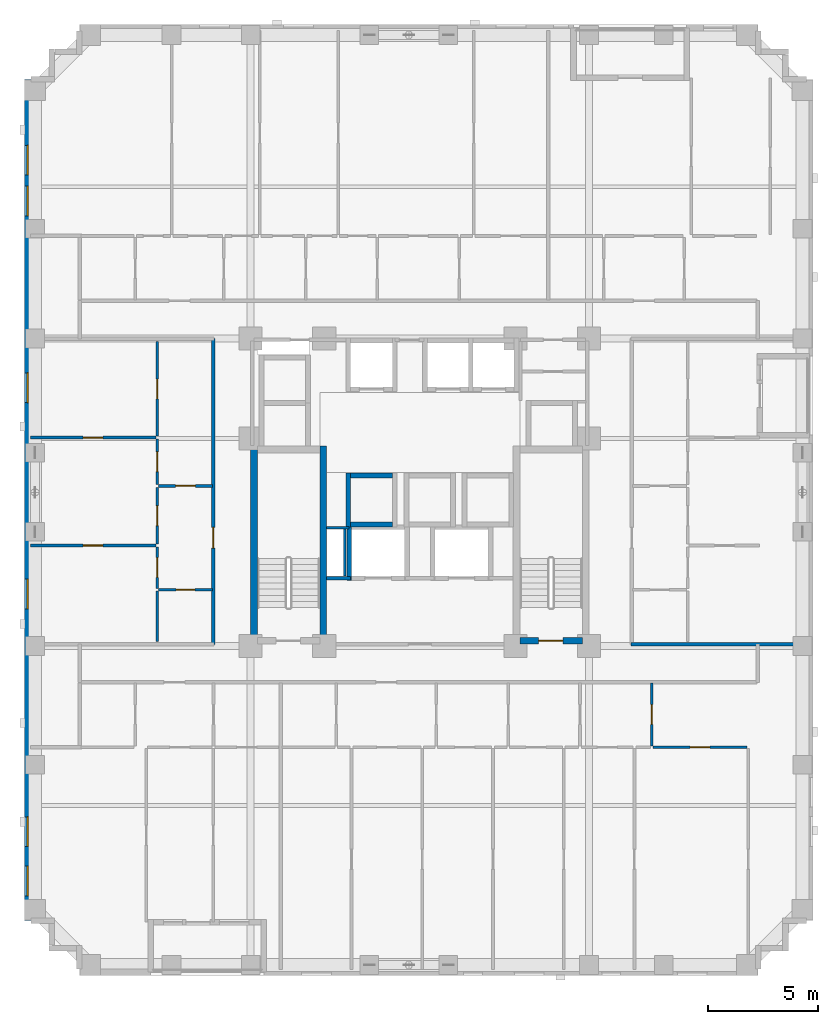
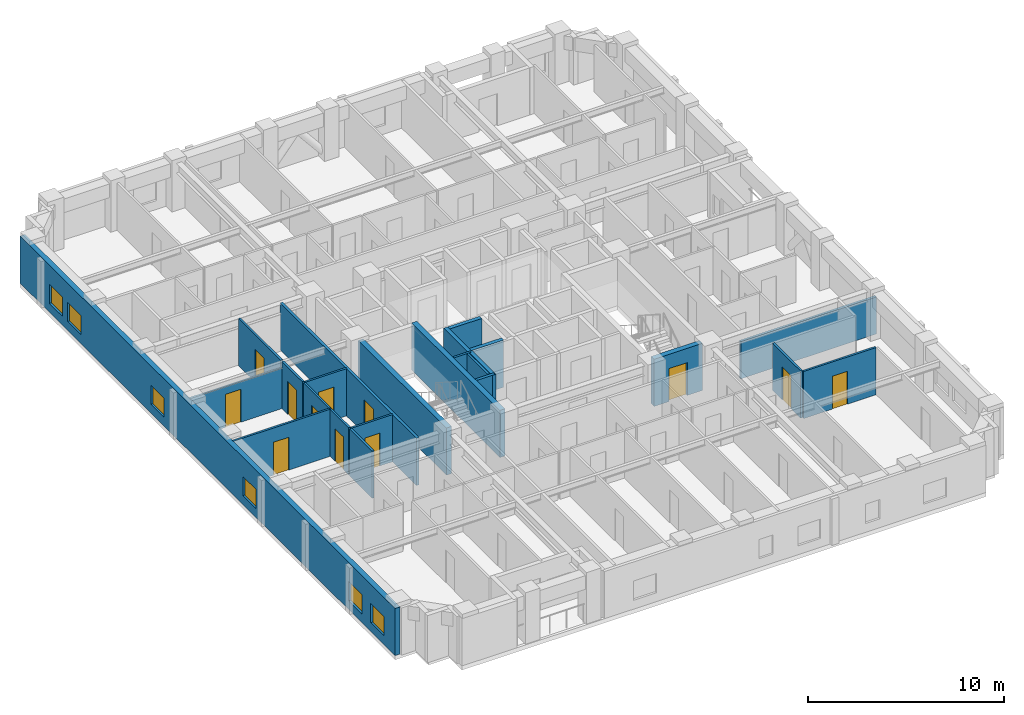
# One storey, part 4 of 12: 24 walls, 12 doors, 6 windows, 18 openings.
"""IFC4 building model written with IfcOpenShell, lengths in metres."""

from ifc_helpers import new_model, si_unit, derived_unit, direction, frame, frame_2d, origin, place, context, subcontext, project, spatial, rectangle, extrude, material, layer, layer_set, type_object, element, fill, save


model = new_model("IFC4")

# Units and contexts
model_context = context("Model", 3, precision=1e-05, world=origin(), true_north=direction((0.0, 1.0)))
body_context = subcontext(model_context, "Body", "Model", "MODEL_VIEW")
ifc_project = project(units=[si_unit("LENGTHUNIT", "METRE"), si_unit("AREAUNIT", "SQUARE_METRE"), si_unit("VOLUMEUNIT", "CUBIC_METRE"), si_unit("PLANEANGLEUNIT", "RADIAN"), si_unit("MASSUNIT", "GRAM", prefix="KILO"), derived_unit("THERMALTRANSMITTANCEUNIT", [(si_unit("MASSUNIT", "GRAM", prefix="KILO"), 1), (si_unit("TIMEUNIT", "SECOND"), -3), (si_unit("THERMODYNAMICTEMPERATUREUNIT", "KELVIN"), -1)])], contexts=[model_context])

# Site, building, storey
site_placement = place(None, origin())
site = spatial("IfcSite", under=ifc_project, at=site_placement, CompositionType="ELEMENT")
building_placement = place(site_placement, origin())
building = spatial("IfcBuilding", under=site, at=building_placement, Name="Korrvale Station Residences", CompositionType="ELEMENT")
storey_placement = place(building_placement, frame((0.0, 0.0, 81.5)))
storey = spatial("IfcBuildingStorey", under=building, at=storey_placement, Name="L22", CompositionType="ELEMENT", Elevation=81.5)

# Walls
ifc_material_1 = material(Name="Concrete C60/75", Category="concrete")
ifc_layer_1 = layer(ifc_material_1, 0.300048828125, Name="Concrete C60/75")
ifc_layer_set_1 = layer_set([ifc_layer_1], Name="Concrete C60/75")
wall_type_1 = type_object("IfcWallType", Name="WAL-CORE-300-C60", PredefinedType="SHEAR", material=ifc_layer_set_1)
for number, where, z_axis, x_axis, name in (
    (1, (17.949951171875, 15.10009765625, 0.0), (0.0, 0.0, 1.0), (0.0, 1.0, 0.0), "L22 ST-1 Core Shear Wall West"),
    (2, (21.10009765625, 15.10009765625, 0.0), (0.0, 0.0, 1.0), (0.0, 1.0, 0.0), "L22 ST-1 Core Shear Wall East"),
):
    element("IfcWall", number, at=place(storey_placement, frame(where, z_axis=z_axis, x_axis=x_axis)), inside=storey, type_object=wall_type_1, Name=name, PredefinedType="SHEAR", context=body_context, shape_type="SweptSolid", body=[
        extrude(rectangle(XDim=9.0, YDim=0.300048828125, at=frame_2d((4.5, 0.0))), origin(), (0.0, 0.0, 1.0), 2.93994140625),
    ])

# Wall, opening, door
wall_1_placement = place(storey_placement, frame((30.050048828125, 15.25, 0.0), z_axis=(0.0, 0.0, 1.0), x_axis=(1.0, 0.0, 0.0)))
wall_1 = element("IfcWall", 3, at=wall_1_placement, inside=storey, type_object=wall_type_1, Name="L22 ST-2 Core Shear Wall South", PredefinedType="SHEAR", context=body_context, shape_type="SweptSolid", body=[
    extrude(rectangle(XDim=2.849853515625, YDim=0.300048828125, at=frame_2d((1.4248046875, 0.0))), origin(), (0.0, 0.0, 1.0), 2.93994140625),
])
opening_1_placement = place(wall_1_placement, frame((0.860107421875, 0.0, 0.0)))
opening_1 = element("IfcOpeningElement", 4, at=opening_1_placement, cuts=wall_1, Name="Opening SD-1100", PredefinedType="OPENING", context=body_context, shape_type="SweptSolid", body=[
    extrude(rectangle(XDim=1.10009765625, YDim=2.050048828125, at=frame_2d((0.550048828125, 1.02490234375))), frame((0.0, 0.16015625, 0.0), z_axis=(0.0, -1.0, 0.0), x_axis=(1.0, 0.0, 0.0)), (0.0, 0.0, 1.0), 0.320068359375),
])
ifc_material_2 = material(Name="Hollow-metal fire-rated stair door with closer", Category="steel")
door_type_1 = type_object("IfcDoorType", Name="DR-STAIR-1100", OperationType="NOTDEFINED", PredefinedType="DOOR", material=ifc_material_2)
door_1_placement = place(opening_1_placement, origin())
door_1 = element("IfcDoor", 5, at=door_1_placement, inside=storey, type_object=door_type_1, Name="L22 ST-2 Exit Stair Door", OperationType="SINGLE_SWING_RIGHT", OverallHeight=2.050048828125, OverallWidth=1.10009765625, PredefinedType="DOOR", context=body_context, shape_type="SweptSolid", body=[
    extrude(rectangle(XDim=1.10009765625, YDim=2.050048828125, at=frame_2d((0.550048828125, 1.02490234375))), frame((0.0, 0.02490234375, 0.0), z_axis=(0.0, -1.0, 0.0), x_axis=(1.0, 0.0, 0.0)), (0.0, 0.0, 1.0), 0.050048828125),
])
fill(opening_1, door_1)

# Wall, openings, windows
ifc_material_3 = material(Name="Precast concrete C45/55", Category="concrete")
ifc_layer_2 = layer(ifc_material_3, 0.300048828125, Name="Precast concrete C45/55")
ifc_layer_set_2 = layer_set([ifc_layer_2], Name="Precast concrete C45/55")
wall_type_2 = type_object("IfcWallType", Name="WAL-EXT-PC300", PredefinedType="SOLIDWALL", material=ifc_layer_set_2)
wall_2_placement = place(storey_placement, frame((7.64990234375, 2.5, 0.0), z_axis=(0.0, 0.0, 1.0), x_axis=(0.0, 1.0, 0.0)))
wall_2 = element("IfcWall", 6, at=wall_2_placement, inside=storey, type_object=wall_type_2, Name="L22 West Exterior Precast Wall 1", PredefinedType="SOLIDWALL", context=body_context, shape_type="SweptSolid", body=[
    extrude(rectangle(XDim=38.300048828125, YDim=0.300048828125, at=frame_2d((19.14990234375, 0.0))), origin(), (0.0, 0.0, 1.0), 2.93994140625),
])
opening_2_placement = place(wall_2_placement, frame((3.3798828125, 0.0, 0.550048828125)))
opening_2 = element("IfcOpeningElement", 7, at=opening_2_placement, cuts=wall_2, Name="Opening W-10", PredefinedType="OPENING", context=body_context, shape_type="SweptSolid", body=[
    extrude(rectangle(XDim=1.35009765625, YDim=1.199951171875, at=frame_2d((0.675048828125, 0.60009765625))), frame((0.0, 0.16015625, 0.0), z_axis=(0.0, -1.0, 0.0), x_axis=(1.0, 0.0, 0.0)), (0.0, 0.0, 1.0), 0.320068359375),
])
opening_3_placement = place(wall_2_placement, frame((1.135009765625, 0.0, 0.550048828125)))
opening_3 = element("IfcOpeningElement", 8, at=opening_3_placement, cuts=wall_2, Name="Opening W-10", PredefinedType="OPENING", context=body_context, shape_type="SweptSolid", body=[
    extrude(rectangle(XDim=1.35009765625, YDim=1.199951171875, at=frame_2d((0.675048828125, 0.60009765625))), frame((0.0, 0.16015625, 0.0), z_axis=(0.0, -1.0, 0.0), x_axis=(1.0, 0.0, 0.0)), (0.0, 0.0, 1.0), 0.320068359375),
])
opening_4_placement = place(wall_2_placement, frame((33.946044921875, 0.0, 0.550048828125)))
opening_4 = element("IfcOpeningElement", 9, at=opening_4_placement, cuts=wall_2, Name="Opening W-10", PredefinedType="OPENING", context=body_context, shape_type="SweptSolid", body=[
    extrude(rectangle(XDim=1.35009765625, YDim=1.199951171875, at=frame_2d((0.675048828125, 0.60009765625))), frame((0.0, 0.16015625, 0.0), z_axis=(0.0, -1.0, 0.0), x_axis=(1.0, 0.0, 0.0)), (0.0, 0.0, 1.0), 0.320068359375),
])
opening_5_placement = place(wall_2_placement, frame((32.0849609375, 0.0, 0.550048828125)))
opening_5 = element("IfcOpeningElement", 10, at=opening_5_placement, cuts=wall_2, Name="Opening W-10", PredefinedType="OPENING", context=body_context, shape_type="SweptSolid", body=[
    extrude(rectangle(XDim=1.35009765625, YDim=1.199951171875, at=frame_2d((0.675048828125, 0.60009765625))), frame((0.0, 0.16015625, 0.0), z_axis=(0.0, -1.0, 0.0), x_axis=(1.0, 0.0, 0.0)), (0.0, 0.0, 1.0), 0.320068359375),
])
opening_6_placement = place(wall_2_placement, frame((14.194091796875, 0.0, 0.550048828125)))
opening_6 = element("IfcOpeningElement", 11, at=opening_6_placement, cuts=wall_2, Name="Opening W-10", PredefinedType="OPENING", context=body_context, shape_type="SweptSolid", body=[
    extrude(rectangle(XDim=1.35009765625, YDim=1.199951171875, at=frame_2d((0.675048828125, 0.60009765625))), frame((0.0, 0.16015625, 0.0), z_axis=(0.0, -1.0, 0.0), x_axis=(1.0, 0.0, 0.0)), (0.0, 0.0, 1.0), 0.320068359375),
])
opening_7_placement = place(wall_2_placement, frame((23.58203125, 0.0, 0.550048828125)))
opening_7 = element("IfcOpeningElement", 12, at=opening_7_placement, cuts=wall_2, Name="Opening W-10", PredefinedType="OPENING", context=body_context, shape_type="SweptSolid", body=[
    extrude(rectangle(XDim=1.35009765625, YDim=1.199951171875, at=frame_2d((0.675048828125, 0.60009765625))), frame((0.0, 0.16015625, 0.0), z_axis=(0.0, -1.0, 0.0), x_axis=(1.0, 0.0, 0.0)), (0.0, 0.0, 1.0), 0.320068359375),
])
ifc_material_4 = material(Name="Thermally broken aluminium frame with triple low-e glazing", Category="aluminium")
window_type = type_object("IfcWindowType", Name="WIN-W10", PartitioningType="SINGLE_PANEL", PredefinedType="WINDOW", material=ifc_material_4)
window_1_placement = place(opening_2_placement, origin())
window_1 = element("IfcWindow", 13, at=window_1_placement, inside=storey, type_object=window_type, Name="L22 Punched Window 01", OverallHeight=1.199951171875, OverallWidth=1.35009765625, PartitioningType="SINGLE_PANEL", PredefinedType="WINDOW", context=body_context, shape_type="SweptSolid", body=[
    extrude(rectangle(XDim=1.35009765625, YDim=1.199951171875, at=frame_2d((0.675048828125, 0.60009765625))), frame((0.0, 0.030029296875, 0.0), z_axis=(0.0, -1.0, 0.0), x_axis=(1.0, 0.0, 0.0)), (0.0, 0.0, 1.0), 0.06005859375),
])
fill(opening_2, window_1)
window_2_placement = place(opening_3_placement, origin())
window_2 = element("IfcWindow", 14, at=window_2_placement, inside=storey, type_object=window_type, Name="L22 Punched Window 02", OverallHeight=1.199951171875, OverallWidth=1.35009765625, PartitioningType="SINGLE_PANEL", PredefinedType="WINDOW", context=body_context, shape_type="SweptSolid", body=[
    extrude(rectangle(XDim=1.35009765625, YDim=1.199951171875, at=frame_2d((0.675048828125, 0.60009765625))), frame((0.0, 0.030029296875, 0.0), z_axis=(0.0, -1.0, 0.0), x_axis=(1.0, 0.0, 0.0)), (0.0, 0.0, 1.0), 0.06005859375),
])
fill(opening_3, window_2)
window_3_placement = place(opening_4_placement, origin())
window_3 = element("IfcWindow", 15, at=window_3_placement, inside=storey, type_object=window_type, Name="L22 Punched Window 12", OverallHeight=1.199951171875, OverallWidth=1.35009765625, PartitioningType="SINGLE_PANEL", PredefinedType="WINDOW", context=body_context, shape_type="SweptSolid", body=[
    extrude(rectangle(XDim=1.35009765625, YDim=1.199951171875, at=frame_2d((0.675048828125, 0.60009765625))), frame((0.0, 0.030029296875, 0.0), z_axis=(0.0, -1.0, 0.0), x_axis=(1.0, 0.0, 0.0)), (0.0, 0.0, 1.0), 0.06005859375),
])
fill(opening_4, window_3)
window_4_placement = place(opening_5_placement, origin())
window_4 = element("IfcWindow", 16, at=window_4_placement, inside=storey, type_object=window_type, Name="L22 Punched Window 13", OverallHeight=1.199951171875, OverallWidth=1.35009765625, PartitioningType="SINGLE_PANEL", PredefinedType="WINDOW", context=body_context, shape_type="SweptSolid", body=[
    extrude(rectangle(XDim=1.35009765625, YDim=1.199951171875, at=frame_2d((0.675048828125, 0.60009765625))), frame((0.0, 0.030029296875, 0.0), z_axis=(0.0, -1.0, 0.0), x_axis=(1.0, 0.0, 0.0)), (0.0, 0.0, 1.0), 0.06005859375),
])
fill(opening_5, window_4)
window_5_placement = place(opening_6_placement, origin())
window_5 = element("IfcWindow", 17, at=window_5_placement, inside=storey, type_object=window_type, Name="L22 Punched Window 19", OverallHeight=1.199951171875, OverallWidth=1.35009765625, PartitioningType="SINGLE_PANEL", PredefinedType="WINDOW", context=body_context, shape_type="SweptSolid", body=[
    extrude(rectangle(XDim=1.35009765625, YDim=1.199951171875, at=frame_2d((0.675048828125, 0.60009765625))), frame((0.0, 0.030029296875, 0.0), z_axis=(0.0, -1.0, 0.0), x_axis=(1.0, 0.0, 0.0)), (0.0, 0.0, 1.0), 0.06005859375),
])
fill(opening_6, window_5)
window_6_placement = place(opening_7_placement, origin())
window_6 = element("IfcWindow", 18, at=window_6_placement, inside=storey, type_object=window_type, Name="L22 Punched Window 20", OverallHeight=1.199951171875, OverallWidth=1.35009765625, PartitioningType="SINGLE_PANEL", PredefinedType="WINDOW", context=body_context, shape_type="SweptSolid", body=[
    extrude(rectangle(XDim=1.35009765625, YDim=1.199951171875, at=frame_2d((0.675048828125, 0.60009765625))), frame((0.0, 0.030029296875, 0.0), z_axis=(0.0, -1.0, 0.0), x_axis=(1.0, 0.0, 0.0)), (0.0, 0.0, 1.0), 0.06005859375),
])
fill(opening_7, window_6)

# Walls
ifc_material_5 = material(Name="Acoustic steel-stud gypsum board partition", Category="steel")
ifc_layer_3 = layer(ifc_material_5, 0.1201171875, Name="Acoustic steel-stud gypsum board partition")
ifc_layer_set_3 = layer_set([ifc_layer_3], Name="Acoustic steel-stud gypsum board partition")
wall_type_3 = type_object("IfcWallType", Name="WAL-PART-125", PredefinedType="PARTITIONING", material=ifc_layer_set_3)
wall_3_placement = place(storey_placement, frame((22.080078125, 18.199951171875, 0.0), z_axis=(0.0, 0.0, 1.0), x_axis=(0.0, 1.0, 0.0)))
element("IfcWall", 19, at=wall_3_placement, inside=storey, type_object=wall_type_3, Name="L22 Core Partition CW-RSWT", PredefinedType="PARTITIONING", context=body_context, shape_type="SweptSolid", body=[
    extrude(rectangle(XDim=2.1201171875, YDim=0.1201171875, at=frame_2d((1.06005859375, 0.0))), origin(), (0.0, 0.0, 1.0), 2.93994140625),
])
wall_4_placement = place(storey_placement, frame((22.280029296875, 20.3798828125, 0.0), z_axis=(0.0, 0.0, 1.0), x_axis=(-1.0, 0.0, 0.0)))
element("IfcWall", 20, at=wall_4_placement, inside=storey, type_object=wall_type_3, Name="L22 Core Partition CW-RSWT-N", PredefinedType="PARTITIONING", context=body_context, shape_type="SweptSolid", body=[
    extrude(rectangle(XDim=1.02001953125, YDim=0.1201171875, at=frame_2d((0.510009765625, 0.0))), origin(), (0.0, 0.0, 1.0), 2.93994140625),
])

# Wall, opening, door
wall_5_placement = place(storey_placement, frame((36.06005859375, 10.4599609375, 0.0), z_axis=(0.0, 0.0, 1.0), x_axis=(0.0, 1.0, 0.0)))
wall_5 = element("IfcWall", 21, at=wall_5_placement, inside=storey, type_object=wall_type_3, Name="L22 Suite Partition U02-V45", PredefinedType="PARTITIONING", context=body_context, shape_type="SweptSolid", body=[
    extrude(rectangle(XDim=2.85009765625, YDim=0.1201171875, at=frame_2d((1.425048828125, 0.0))), origin(), (0.0, 0.0, 1.0), 2.93994140625),
])
opening_8_placement = place(wall_5_placement, frame((0.97509765625, 0.0, 0.0)))
opening_8 = element("IfcOpeningElement", 22, at=opening_8_placement, cuts=wall_5, Name="Opening DI-900", PredefinedType="OPENING", context=body_context, shape_type="SweptSolid", body=[
    extrude(rectangle(XDim=0.89990234375, YDim=2.050048828125, at=frame_2d((0.449951171875, 1.02490234375))), frame((0.0, 0.070068359375, 0.0), z_axis=(0.0, -1.0, 0.0), x_axis=(1.0, 0.0, 0.0)), (0.0, 0.0, 1.0), 0.14013671875),
])
ifc_material_6 = material(Name="Painted solid-core timber interior room door", Category="wood")
door_type_2 = type_object("IfcDoorType", Name="DR-INT-900", OperationType="NOTDEFINED", PredefinedType="DOOR", material=ifc_material_6)
door_2_placement = place(opening_8_placement, origin())
door_2 = element("IfcDoor", 23, at=door_2_placement, inside=storey, type_object=door_type_2, Name="L22 Studio Apartment L22-U02 Utility and Laundry Room Door", OperationType="SINGLE_SWING_LEFT", OverallHeight=2.050048828125, OverallWidth=0.89990234375, PredefinedType="DOOR", context=body_context, shape_type="SweptSolid", body=[
    extrude(rectangle(XDim=0.89990234375, YDim=2.050048828125, at=frame_2d((0.449951171875, 1.02490234375))), frame((0.0, 0.02490234375, 0.0), z_axis=(0.0, -1.0, 0.0), x_axis=(1.0, 0.0, 0.0)), (0.0, 0.0, 1.0), 0.050048828125),
])
fill(opening_8, door_2)

wall_6_placement = place(storey_placement, frame((36.1201171875, 10.39990234375, 0.0), z_axis=(0.0, 0.0, 1.0), x_axis=(1.0, 0.0, 0.0)))
wall_6 = element("IfcWall", 24, at=wall_6_placement, inside=storey, type_object=wall_type_3, Name="L22 Suite Partition U02-H511", PredefinedType="PARTITIONING", context=body_context, shape_type="SweptSolid", body=[
    extrude(rectangle(XDim=4.269775390625, YDim=0.1201171875, at=frame_2d((2.134765625, 0.0))), origin(), (0.0, 0.0, 1.0), 2.93994140625),
])
opening_9_placement = place(wall_6_placement, frame((1.68505859375, 0.0, 0.0)))
opening_9 = element("IfcOpeningElement", 25, at=opening_9_placement, cuts=wall_6, Name="Opening DI-900", PredefinedType="OPENING", context=body_context, shape_type="SweptSolid", body=[
    extrude(rectangle(XDim=0.89990234375, YDim=2.050048828125, at=frame_2d((0.449951171875, 1.02490234375))), frame((0.0, 0.070068359375, 0.0), z_axis=(0.0, -1.0, 0.0), x_axis=(1.0, 0.0, 0.0)), (0.0, 0.0, 1.0), 0.14013671875),
])
door_3_placement = place(opening_9_placement, origin())
door_3 = element("IfcDoor", 26, at=door_3_placement, inside=storey, type_object=door_type_2, Name="L22 Studio Apartment L22-U02 Storage Closet 2 Door", OperationType="SINGLE_SWING_LEFT", OverallHeight=2.050048828125, OverallWidth=0.89990234375, PredefinedType="DOOR", context=body_context, shape_type="SweptSolid", body=[
    extrude(rectangle(XDim=0.89990234375, YDim=2.050048828125, at=frame_2d((0.449951171875, 1.02490234375))), frame((0.0, 0.02490234375, 0.0), z_axis=(0.0, -1.0, 0.0), x_axis=(1.0, 0.0, 0.0)), (0.0, 0.0, 1.0), 0.050048828125),
])
fill(opening_9, door_3)

wall_7_placement = place(storey_placement, frame((13.610107421875, 22.2900390625, 0.0), z_axis=(0.0, 0.0, 1.0), x_axis=(1.0, 0.0, 0.0)))
wall_7 = element("IfcWall", 27, at=wall_7_placement, inside=storey, type_object=wall_type_3, Name="L22 Suite Partition U05-H02", PredefinedType="PARTITIONING", context=body_context, shape_type="SweptSolid", body=[
    extrude(rectangle(XDim=2.449951171875, YDim=0.1201171875, at=frame_2d((1.22509765625, 0.0))), origin(), (0.0, 0.0, 1.0), 2.93994140625),
])
opening_10_placement = place(wall_7_placement, frame((0.77490234375, 0.0, 0.0)))
opening_10 = element("IfcOpeningElement", 28, at=opening_10_placement, cuts=wall_7, Name="Opening DI-900", PredefinedType="OPENING", context=body_context, shape_type="SweptSolid", body=[
    extrude(rectangle(XDim=0.89990234375, YDim=2.050048828125, at=frame_2d((0.449951171875, 1.02490234375))), frame((0.0, 0.070068359375, 0.0), z_axis=(0.0, -1.0, 0.0), x_axis=(1.0, 0.0, 0.0)), (0.0, 0.0, 1.0), 0.14013671875),
])
door_4_placement = place(opening_10_placement, origin())
door_4 = element("IfcDoor", 29, at=door_4_placement, inside=storey, type_object=door_type_2, Name="L22 Apartment 2BR L22-U05 Wardrobe Storage Room Door", OperationType="SINGLE_SWING_LEFT", OverallHeight=2.050048828125, OverallWidth=0.89990234375, PredefinedType="DOOR", context=body_context, shape_type="SweptSolid", body=[
    extrude(rectangle(XDim=0.89990234375, YDim=2.050048828125, at=frame_2d((0.449951171875, 1.02490234375))), frame((0.0, 0.02490234375, 0.0), z_axis=(0.0, -1.0, 0.0), x_axis=(1.0, 0.0, 0.0)), (0.0, 0.0, 1.0), 0.050048828125),
])
fill(opening_10, door_4)

wall_8_placement = place(storey_placement, frame((13.550048828125, 22.35009765625, 0.0), z_axis=(0.0, 0.0, 1.0), x_axis=(0.0, 1.0, 0.0)))
wall_8 = element("IfcWall", 30, at=wall_8_placement, inside=storey, type_object=wall_type_3, Name="L22 Suite Partition U05-V04", PredefinedType="PARTITIONING", context=body_context, shape_type="SweptSolid", body=[
    extrude(rectangle(XDim=2.081787109375, YDim=0.1201171875, at=frame_2d((1.041015625, 0.0))), origin(), (0.0, 0.0, 1.0), 2.93994140625),
])
opening_11_placement = place(wall_8_placement, frame((0.591064453125, 0.0, 0.0)))
opening_11 = element("IfcOpeningElement", 31, at=opening_11_placement, cuts=wall_8, Name="Opening DI-900", PredefinedType="OPENING", context=body_context, shape_type="SweptSolid", body=[
    extrude(rectangle(XDim=0.89990234375, YDim=2.050048828125, at=frame_2d((0.449951171875, 1.02490234375))), frame((0.0, 0.070068359375, 0.0), z_axis=(0.0, -1.0, 0.0), x_axis=(1.0, 0.0, 0.0)), (0.0, 0.0, 1.0), 0.14013671875),
])
door_5_placement = place(opening_11_placement, origin())
door_5 = element("IfcDoor", 32, at=door_5_placement, inside=storey, type_object=door_type_2, Name="L22 Apartment 2BR L22-U05 Wardrobe Storage Room Door", OperationType="SINGLE_SWING_RIGHT", OverallHeight=2.050048828125, OverallWidth=0.89990234375, PredefinedType="DOOR", context=body_context, shape_type="SweptSolid", body=[
    extrude(rectangle(XDim=0.89990234375, YDim=2.050048828125, at=frame_2d((0.449951171875, 1.02490234375))), frame((0.0, 0.02490234375, 0.0), z_axis=(0.0, -1.0, 0.0), x_axis=(1.0, 0.0, 0.0)), (0.0, 0.0, 1.0), 0.050048828125),
])
fill(opening_11, door_5)

wall_9_placement = place(storey_placement, frame((13.550048828125, 24.552001953125, 0.0), z_axis=(0.0, 0.0, 1.0), x_axis=(0.0, 1.0, 0.0)))
wall_9 = element("IfcWall", 33, at=wall_9_placement, inside=storey, type_object=wall_type_3, Name="L22 Suite Partition U05-V05", PredefinedType="PARTITIONING", context=body_context, shape_type="SweptSolid", body=[
    extrude(rectangle(XDim=4.30810546875, YDim=0.1201171875, at=frame_2d((2.154052734375, 0.0))), origin(), (0.0, 0.0, 1.0), 2.93994140625),
])
opening_12_placement = place(wall_9_placement, frame((1.7041015625, 0.0, 0.0)))
opening_12 = element("IfcOpeningElement", 34, at=opening_12_placement, cuts=wall_9, Name="Opening DI-900", PredefinedType="OPENING", context=body_context, shape_type="SweptSolid", body=[
    extrude(rectangle(XDim=0.89990234375, YDim=2.050048828125, at=frame_2d((0.449951171875, 1.02490234375))), frame((0.0, 0.070068359375, 0.0), z_axis=(0.0, -1.0, 0.0), x_axis=(1.0, 0.0, 0.0)), (0.0, 0.0, 1.0), 0.14013671875),
])
door_6_placement = place(opening_12_placement, origin())
door_6 = element("IfcDoor", 35, at=door_6_placement, inside=storey, type_object=door_type_2, Name="L22 Apartment 2BR L22-U05 Wardrobe Storage Room Door", OperationType="SINGLE_SWING_LEFT", OverallHeight=2.050048828125, OverallWidth=0.89990234375, PredefinedType="DOOR", context=body_context, shape_type="SweptSolid", body=[
    extrude(rectangle(XDim=0.89990234375, YDim=2.050048828125, at=frame_2d((0.449951171875, 1.02490234375))), frame((0.0, 0.02490234375, 0.0), z_axis=(0.0, -1.0, 0.0), x_axis=(1.0, 0.0, 0.0)), (0.0, 0.0, 1.0), 0.050048828125),
])
fill(opening_12, door_6)

wall_10_placement = place(storey_placement, frame((13.610107421875, 17.570068359375, 0.0), z_axis=(0.0, 0.0, 1.0), x_axis=(1.0, 0.0, 0.0)))
wall_10 = element("IfcWall", 36, at=wall_10_placement, inside=storey, type_object=wall_type_3, Name="L22 Suite Partition U05-H12", PredefinedType="PARTITIONING", context=body_context, shape_type="SweptSolid", body=[
    extrude(rectangle(XDim=2.449951171875, YDim=0.1201171875, at=frame_2d((1.22509765625, 0.0))), origin(), (0.0, 0.0, 1.0), 2.93994140625),
])
opening_13_placement = place(wall_10_placement, frame((0.794921875, 0.0, 0.0)))
opening_13 = element("IfcOpeningElement", 37, at=opening_13_placement, cuts=wall_10, Name="Opening DB-860", PredefinedType="OPENING", context=body_context, shape_type="SweptSolid", body=[
    extrude(rectangle(XDim=0.860107421875, YDim=2.050048828125, at=frame_2d((0.43017578125, 1.02490234375))), frame((0.0, 0.070068359375, 0.0), z_axis=(0.0, -1.0, 0.0), x_axis=(1.0, 0.0, 0.0)), (0.0, 0.0, 1.0), 0.14013671875),
])
ifc_material_7 = material(Name="Moisture-resistant solid-core bathroom door", Category="timber")
door_type_3 = type_object("IfcDoorType", Name="DR-BATH-860", OperationType="NOTDEFINED", PredefinedType="DOOR", material=ifc_material_7)
door_7_placement = place(opening_13_placement, origin())
door_7 = element("IfcDoor", 38, at=door_7_placement, inside=storey, type_object=door_type_3, Name="L22 Apartment 2BR L22-U05 Bathroom Door", OperationType="SINGLE_SWING_RIGHT", OverallHeight=2.050048828125, OverallWidth=0.860107421875, PredefinedType="DOOR", context=body_context, shape_type="SweptSolid", body=[
    extrude(rectangle(XDim=0.860107421875, YDim=2.050048828125, at=frame_2d((0.43017578125, 1.02490234375))), frame((0.0, 0.02490234375, 0.0), z_axis=(0.0, -1.0, 0.0), x_axis=(1.0, 0.0, 0.0)), (0.0, 0.0, 1.0), 0.050048828125),
])
fill(opening_13, door_7)

# Wall
wall_11_placement = place(storey_placement, frame((13.550048828125, 15.2099609375, 0.0), z_axis=(0.0, 0.0, 1.0), x_axis=(0.0, 1.0, 0.0)))
element("IfcWall", 39, at=wall_11_placement, inside=storey, type_object=wall_type_3, Name="L22 Suite Partition U05-V13", PredefinedType="PARTITIONING", context=body_context, shape_type="SweptSolid", body=[
    extrude(rectangle(XDim=2.300048828125, YDim=0.1201171875, at=frame_2d((1.14990234375, 0.0))), origin(), (0.0, 0.0, 1.0), 2.93994140625),
])

# Wall, opening, door
wall_12_placement = place(storey_placement, frame((13.550048828125, 17.6298828125, 0.0), z_axis=(0.0, 0.0, 1.0), x_axis=(0.0, 1.0, 0.0)))
wall_12 = element("IfcWall", 40, at=wall_12_placement, inside=storey, type_object=wall_type_3, Name="L22 Suite Partition U05-V23", PredefinedType="PARTITIONING", context=body_context, shape_type="SweptSolid", body=[
    extrude(rectangle(XDim=1.88818359375, YDim=0.1201171875, at=frame_2d((0.944091796875, 0.0))), origin(), (0.0, 0.0, 1.0), 2.93994140625),
])
opening_14_placement = place(wall_12_placement, frame((0.493896484375, 0.0, 0.0)))
opening_14 = element("IfcOpeningElement", 41, at=opening_14_placement, cuts=wall_12, Name="Opening DI-900", PredefinedType="OPENING", context=body_context, shape_type="SweptSolid", body=[
    extrude(rectangle(XDim=0.89990234375, YDim=2.050048828125, at=frame_2d((0.449951171875, 1.02490234375))), frame((0.0, 0.070068359375, 0.0), z_axis=(0.0, -1.0, 0.0), x_axis=(1.0, 0.0, 0.0)), (0.0, 0.0, 1.0), 0.14013671875),
])
door_8_placement = place(opening_14_placement, origin())
door_8 = element("IfcDoor", 42, at=door_8_placement, inside=storey, type_object=door_type_2, Name="L22 Apartment 2BR L22-U05 Kitchen Door", OperationType="SINGLE_SWING_LEFT", OverallHeight=2.050048828125, OverallWidth=0.89990234375, PredefinedType="DOOR", context=body_context, shape_type="SweptSolid", body=[
    extrude(rectangle(XDim=0.89990234375, YDim=2.050048828125, at=frame_2d((0.449951171875, 1.02490234375))), frame((0.0, 0.02490234375, 0.0), z_axis=(0.0, -1.0, 0.0), x_axis=(1.0, 0.0, 0.0)), (0.0, 0.0, 1.0), 0.050048828125),
])
fill(opening_14, door_8)

wall_13_placement = place(storey_placement, frame((13.550048828125, 19.637939453125, 0.0), z_axis=(0.0, 0.0, 1.0), x_axis=(0.0, 1.0, 0.0)))
wall_13 = element("IfcWall", 43, at=wall_13_placement, inside=storey, type_object=wall_type_3, Name="L22 Suite Partition U05-V24", PredefinedType="PARTITIONING", context=body_context, shape_type="SweptSolid", body=[
    extrude(rectangle(XDim=2.592041015625, YDim=0.1201171875, at=frame_2d((1.2958984375, 0.0))), origin(), (0.0, 0.0, 1.0), 2.93994140625),
])
opening_15_placement = place(wall_13_placement, frame((0.845947265625, 0.0, 0.0)))
opening_15 = element("IfcOpeningElement", 44, at=opening_15_placement, cuts=wall_13, Name="Opening DI-900", PredefinedType="OPENING", context=body_context, shape_type="SweptSolid", body=[
    extrude(rectangle(XDim=0.89990234375, YDim=2.050048828125, at=frame_2d((0.449951171875, 1.02490234375))), frame((0.0, 0.070068359375, 0.0), z_axis=(0.0, -1.0, 0.0), x_axis=(1.0, 0.0, 0.0)), (0.0, 0.0, 1.0), 0.14013671875),
])
door_9_placement = place(opening_15_placement, origin())
door_9 = element("IfcDoor", 45, at=door_9_placement, inside=storey, type_object=door_type_2, Name="L22 Apartment 2BR L22-U05 Kitchen Door", OperationType="SINGLE_SWING_RIGHT", OverallHeight=2.050048828125, OverallWidth=0.89990234375, PredefinedType="DOOR", context=body_context, shape_type="SweptSolid", body=[
    extrude(rectangle(XDim=0.89990234375, YDim=2.050048828125, at=frame_2d((0.449951171875, 1.02490234375))), frame((0.0, 0.02490234375, 0.0), z_axis=(0.0, -1.0, 0.0), x_axis=(1.0, 0.0, 0.0)), (0.0, 0.0, 1.0), 0.050048828125),
])
fill(opening_15, door_9)

wall_14_placement = place(storey_placement, frame((7.780029296875, 19.577880859375, 0.0), z_axis=(0.0, 0.0, 1.0), x_axis=(1.0, 0.0, 0.0)))
wall_14 = element("IfcWall", 46, at=wall_14_placement, inside=storey, type_object=wall_type_3, Name="L22 Suite Partition U05-H34", PredefinedType="PARTITIONING", context=body_context, shape_type="SweptSolid", body=[
    extrude(rectangle(XDim=5.7099609375, YDim=0.1201171875, at=frame_2d((2.85498046875, 0.0))), origin(), (0.0, 0.0, 1.0), 2.93994140625),
])
opening_16_placement = place(wall_14_placement, frame((2.389892578125, 0.0, 0.0)))
opening_16 = element("IfcOpeningElement", 47, at=opening_16_placement, cuts=wall_14, Name="Opening DI-900", PredefinedType="OPENING", context=body_context, shape_type="SweptSolid", body=[
    extrude(rectangle(XDim=0.89990234375, YDim=2.050048828125, at=frame_2d((0.449951171875, 1.02490234375))), frame((0.0, 0.070068359375, 0.0), z_axis=(0.0, -1.0, 0.0), x_axis=(1.0, 0.0, 0.0)), (0.0, 0.0, 1.0), 0.14013671875),
])
door_10_placement = place(opening_16_placement, origin())
door_10 = element("IfcDoor", 48, at=door_10_placement, inside=storey, type_object=door_type_2, Name="L22 Apartment 2BR L22-U05 Bedroom 1 Door", OperationType="SINGLE_SWING_LEFT", OverallHeight=2.050048828125, OverallWidth=0.89990234375, PredefinedType="DOOR", context=body_context, shape_type="SweptSolid", body=[
    extrude(rectangle(XDim=0.89990234375, YDim=2.050048828125, at=frame_2d((0.449951171875, 1.02490234375))), frame((0.0, 0.02490234375, 0.0), z_axis=(0.0, -1.0, 0.0), x_axis=(1.0, 0.0, 0.0)), (0.0, 0.0, 1.0), 0.050048828125),
])
fill(opening_16, door_10)

wall_15_placement = place(storey_placement, frame((7.780029296875, 24.491943359375, 0.0), z_axis=(0.0, 0.0, 1.0), x_axis=(1.0, 0.0, 0.0)))
wall_15 = element("IfcWall", 49, at=wall_15_placement, inside=storey, type_object=wall_type_3, Name="L22 Suite Partition U05-H45", PredefinedType="PARTITIONING", context=body_context, shape_type="SweptSolid", body=[
    extrude(rectangle(XDim=5.7099609375, YDim=0.1201171875, at=frame_2d((2.85498046875, 0.0))), origin(), (0.0, 0.0, 1.0), 2.51806640625),
])
opening_17_placement = place(wall_15_placement, frame((2.389892578125, 0.0, 0.0)))
opening_17 = element("IfcOpeningElement", 50, at=opening_17_placement, cuts=wall_15, Name="Opening DI-900", PredefinedType="OPENING", context=body_context, shape_type="SweptSolid", body=[
    extrude(rectangle(XDim=0.89990234375, YDim=2.050048828125, at=frame_2d((0.449951171875, 1.02490234375))), frame((0.0, 0.070068359375, 0.0), z_axis=(0.0, -1.0, 0.0), x_axis=(1.0, 0.0, 0.0)), (0.0, 0.0, 1.0), 0.14013671875),
])
door_11_placement = place(opening_17_placement, origin())
door_11 = element("IfcDoor", 51, at=door_11_placement, inside=storey, type_object=door_type_2, Name="L22 Apartment 2BR L22-U05 Living and Dining Room Door", OperationType="SINGLE_SWING_RIGHT", OverallHeight=2.050048828125, OverallWidth=0.89990234375, PredefinedType="DOOR", context=body_context, shape_type="SweptSolid", body=[
    extrude(rectangle(XDim=0.89990234375, YDim=2.050048828125, at=frame_2d((0.449951171875, 1.02490234375))), frame((0.0, 0.02490234375, 0.0), z_axis=(0.0, -1.0, 0.0), x_axis=(1.0, 0.0, 0.0)), (0.0, 0.0, 1.0), 0.050048828125),
])
fill(opening_17, door_11)

# Walls
ifc_material_8 = material(Name="Fire-rated twin-stud gypsum and mineral wool shaftwall assembly", Category="gypsum")
ifc_layer_4 = layer(ifc_material_8, 0.159912109375, Name="Fire-rated twin-stud gypsum and mineral wool shaftwall assembly")
ifc_layer_set_4 = layer_set([ifc_layer_4], Name="Fire-rated twin-stud gypsum and mineral wool shaftwall assembly")
wall_type_4 = type_object("IfcWallType", Name="WAL-PART-200", PredefinedType="PARTITIONING", material=ifc_layer_set_4)
wall_16_placement = place(storey_placement, frame((21.25, 18.080078125, 0.0), z_axis=(0.0, 0.0, 1.0), x_axis=(1.0, 0.0, 0.0)))
element("IfcWall", 52, at=wall_16_placement, inside=storey, type_object=wall_type_4, Name="L22 Core Partition CW-FFL-N1", PredefinedType="PARTITIONING", context=body_context, shape_type="SweptSolid", body=[
    extrude(rectangle(XDim=1.10009765625, YDim=0.159912109375, at=frame_2d((0.550048828125, 0.0))), origin(), (0.0, 0.0, 1.0), 2.93994140625),
])
wall_17_placement = place(storey_placement, frame((35.110107421875, 15.090087890625, 0.0), z_axis=(0.0, 0.0, 1.0), x_axis=(1.0, 0.0, 0.0)))
element("IfcWall", 53, at=wall_17_placement, inside=storey, type_object=wall_type_4, Name="L22 East Wing South Corridor Wall", PredefinedType="PARTITIONING", context=body_context, shape_type="SweptSolid", body=[
    extrude(rectangle(XDim=8.010009765625, YDim=0.159912109375, at=frame_2d((4.0048828125, 0.0))), origin(), (0.0, 0.0, 1.0), 2.30908203125),
])

# Wall, opening, door
wall_18_placement = place(storey_placement, frame((16.10009765625, 15.070068359375, 0.0), z_axis=(0.0, 0.0, 1.0), x_axis=(0.0, 1.0, 0.0)))
wall_18 = element("IfcWall", 54, at=wall_18_placement, inside=storey, type_object=wall_type_4, Name="L22 Rated Corridor Wall W", PredefinedType="PARTITIONING", context=body_context, shape_type="SweptSolid", body=[
    extrude(rectangle(XDim=13.929931640625, YDim=0.159912109375, at=frame_2d((6.96484375, 0.0))), origin(), (0.0, 0.0, 1.0), 2.93994140625),
])
opening_18_placement = place(wall_18_placement, frame((4.385009765625, 0.0, 0.0)))
opening_18 = element("IfcOpeningElement", 55, at=opening_18_placement, cuts=wall_18, Name="Opening UD-950", PredefinedType="OPENING", context=body_context, shape_type="SweptSolid", body=[
    extrude(rectangle(XDim=0.949951171875, YDim=2.10009765625, at=frame_2d((0.47509765625, 1.050048828125))), frame((0.0, 0.08984375, 0.0), z_axis=(0.0, -1.0, 0.0), x_axis=(1.0, 0.0, 0.0)), (0.0, 0.0, 1.0), 0.179931640625),
])
ifc_material_9 = material(Name="Solid-core acoustic oak apartment entrance door", Category="timber")
door_type_4 = type_object("IfcDoorType", Name="DR-UNIT-950", OperationType="NOTDEFINED", PredefinedType="DOOR", material=ifc_material_9)
door_12_placement = place(opening_18_placement, origin())
door_12 = element("IfcDoor", 56, at=door_12_placement, inside=storey, type_object=door_type_4, Name="L22 Apartment L22-U05 Entrance Door", OperationType="SINGLE_SWING_LEFT", OverallHeight=2.10009765625, OverallWidth=0.949951171875, PredefinedType="DOOR", context=body_context, shape_type="SweptSolid", body=[
    extrude(rectangle(XDim=0.949951171875, YDim=2.10009765625, at=frame_2d((0.47509765625, 1.050048828125))), frame((0.0, 0.02490234375, 0.0), z_axis=(0.0, -1.0, 0.0), x_axis=(1.0, 0.0, 0.0)), (0.0, 0.0, 1.0), 0.050048828125),
])
fill(opening_18, door_12)

# Walls
ifc_layer_5 = layer(ifc_material_1, 0.219970703125, Name="Concrete C60/75")
ifc_layer_set_5 = layer_set([ifc_layer_5], Name="Concrete C60/75")
wall_type_5 = type_object("IfcWallType", Name="WAL-SHAFT-220-C60", PredefinedType="SHEAR", material=ifc_layer_set_5)
for number, where, z_axis, x_axis, name in (
    (57, (22.35009765625, 20.5400390625, 0.0), (0.0, 0.0, 1.0), (1.0, 0.0, 0.0), "L22 Elevator PM-1 Hoistway Wall South"),
    (58, (22.35009765625, 22.760009765625, 0.0), (0.0, 0.0, 1.0), (1.0, 0.0, 0.0), "L22 Elevator PM-1 Hoistway Wall North"),
):
    element("IfcWall", number, at=place(storey_placement, frame(where, z_axis=z_axis, x_axis=x_axis)), inside=storey, type_object=wall_type_5, Name=name, PredefinedType="SHEAR", context=body_context, shape_type="SweptSolid", body=[
        extrude(rectangle(XDim=1.89990234375, YDim=0.219970703125, at=frame_2d((0.949951171875, 0.0))), origin(), (0.0, 0.0, 1.0), 2.93994140625),
    ])
wall_19_placement = place(storey_placement, frame((22.239990234375, 20.429931640625, 0.0), z_axis=(0.0, 0.0, 1.0), x_axis=(0.0, 1.0, 0.0)))
element("IfcWall", 59, at=wall_19_placement, inside=storey, type_object=wall_type_5, Name="L22 Elevator PM-1 Hoistway Wall West", PredefinedType="SHEAR", context=body_context, shape_type="SweptSolid", body=[
    extrude(rectangle(XDim=2.440185546875, YDim=0.219970703125, at=frame_2d((1.22021484375, 0.0))), origin(), (0.0, 0.0, 1.0), 2.93994140625),
])
wall_20_placement = place(storey_placement, frame((22.2900390625, 17.97998046875, 0.0), z_axis=(0.0, 0.0, 1.0), x_axis=(0.0, 1.0, 0.0)))
element("IfcWall", 60, at=wall_20_placement, inside=storey, type_object=wall_type_5, Name="L22 Elevator FFL-1 Hoistway Wall West", PredefinedType="SHEAR", context=body_context, shape_type="SweptSolid", body=[
    extrude(rectangle(XDim=2.5400390625, YDim=0.219970703125, at=frame_2d((1.27001953125, 0.0))), origin(), (0.0, 0.0, 1.0), 2.93994140625),
])

save(model, "model.ifc")
